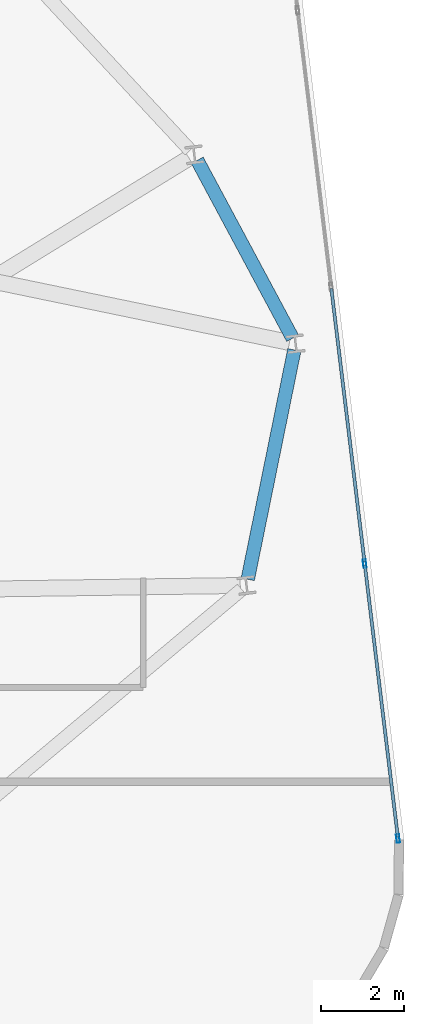
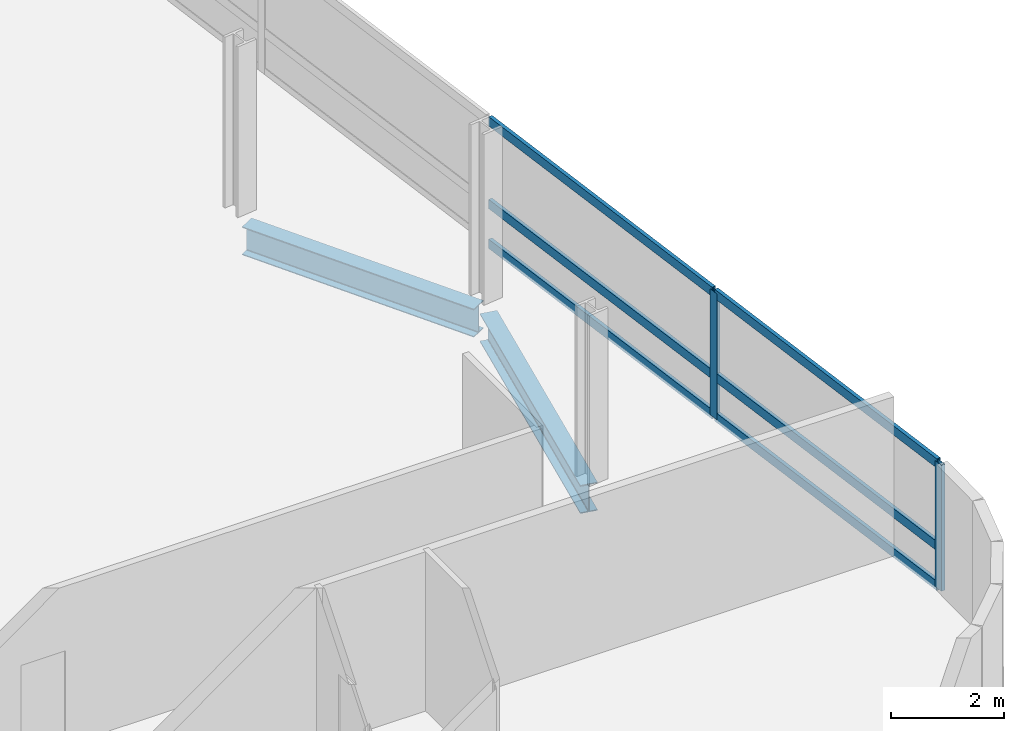
# One storey, part 10 of 22: 8 members, 2 beams, 1 element without a shape of its own.
"""IFC4 building model written with IfcOpenShell, lengths in metres."""

from ifc_helpers import new_model, si_unit, direction, frame, origin, origin_2d, place, context, subcontext, project, spatial, hollow_rectangle, i_section, extrude, material, layer, layer_set, material_profile, profile_set, type_object, element, aggregate, save


model = new_model("IFC4")

# Units and contexts
model_context = context("Model", 3, precision=1e-05, world=origin(), true_north=direction((0.0, 1.0)))
body_context = subcontext(model_context, "Body", "Model", "MODEL_VIEW")
ifc_project = project(units=[si_unit("LENGTHUNIT", "METRE"), si_unit("AREAUNIT", "SQUARE_METRE"), si_unit("VOLUMEUNIT", "CUBIC_METRE"), si_unit("PLANEANGLEUNIT", "RADIAN"), si_unit("MASSUNIT", "GRAM", prefix="KILO")], contexts=[model_context])

# Site, building, storey
site_placement = place(None, origin())
site = spatial("IfcSite", under=ifc_project, at=site_placement, CompositionType="ELEMENT")
building_placement = place(site_placement, origin())
building = spatial("IfcBuilding", under=site, at=building_placement, Name="Varnelok Gate Tower", CompositionType="ELEMENT")
storey_placement = place(building_placement, frame((0.0, 0.0, 185.699951171875)))
storey = spatial("IfcBuildingStorey", under=building, at=storey_placement, Name="L47", CompositionType="ELEMENT", Elevation=185.699951171875)

# Beams
ifc_material_1 = material(Name="Structural Steel ASTM A992 Grade 50", Category="steel")
ifc_material_profile_1 = material_profile(ifc_material_1, i_section(OverallWidth=0.323974609375, OverallDepth=0.611083984375, WebThickness=0.0126953125, FlangeThickness=0.01904296875, FilletRadius=0.01806640625, at=origin_2d()), Name="W24X104")
ifc_profile_set_1 = profile_set([ifc_material_profile_1], Name="Structural Steel ASTM A992 Grade 50")
beam_type = type_object("IfcBeamType", Name="BM-SPN-W24X104", PredefinedType="SPANDREL", material=ifc_profile_set_1)
beam_1_placement = place(storey_placement, frame((72.5068359375, 19.206298828125, -0.555419921875), z_axis=(0.19911018886, 0.979977108249, 0.0), x_axis=(-0.979977108249, 0.19911018886, 0.0)))
element("IfcBeam", 1, at=beam_1_placement, inside=storey, type_object=beam_type, Name="L47 Perimeter Spandrel Beam 6", PredefinedType="SPANDREL", context=body_context, shape_type="SweptSolid", body=[
    extrude(i_section(OverallWidth=0.323974609375, OverallDepth=0.611083984375, WebThickness=0.0126953125, FlangeThickness=0.01904296875, FilletRadius=0.01806640625, at=origin_2d()), origin(), (0.0, 0.0, 1.0), 5.612060546875),
])
beam_2_placement = place(storey_placement, frame((73.583251953125, 24.9853515625, -0.555419921875), z_axis=(-0.472471917257, 0.881345725242, 0.0), x_axis=(-0.881345725242, -0.472471917257, 0.0)))
element("IfcBeam", 2, at=beam_2_placement, inside=storey, type_object=beam_type, Name="L47 Perimeter Spandrel Beam 7", PredefinedType="SPANDREL", context=body_context, shape_type="SweptSolid", body=[
    extrude(i_section(OverallWidth=0.323974609375, OverallDepth=0.611083984375, WebThickness=0.0126953125, FlangeThickness=0.01904296875, FilletRadius=0.01806640625, at=origin_2d()), origin(), (0.0, 0.0, 1.0), 4.8408203125),
])

# Curtain wall, members
ifc_material_2 = material(Name="Anodized Aluminum Alloy 6063-T6", Category="aluminium")
ifc_layer = layer(ifc_material_2, 0.179931640625)
ifc_layer_set = layer_set([ifc_layer], Name="Anodized Aluminum Alloy 6063-T6")
curtain_wall_type = type_object("IfcCurtainWallType", Name="CW4-RESIDENCE-VISION", PredefinedType="USERDEFINED", material=ifc_layer_set)
curtain_wall_placement = place(storey_placement, origin())
curtain_wall = element("IfcCurtainWall", 3, at=curtain_wall_placement, inside=storey, type_object=curtain_wall_type, Name="L47 East End Vision Curtain Wall", ObjectType="UNITISED CURTAIN WALL", PredefinedType="USERDEFINED")
ifc_material_profile_2 = material_profile(ifc_material_2, hollow_rectangle(XDim=0.074951171875, YDim=0.199951171875, WallThickness=0.00390625, at=origin_2d()), Name="ALU200X75X4")
ifc_profile_set_2 = profile_set([ifc_material_profile_2], Name="Anodized Aluminum Alloy 6063-T6")
member_type_1 = type_object("IfcMemberType", Name="CW-MULL-200", PredefinedType="MULLION", material=ifc_profile_set_2)
member_1_placement = place(storey_placement, frame((75.310302734375, 19.584228515625, 0.0), z_axis=(0.0, 0.0, 1.0), x_axis=(0.992732188751, 0.120344511371, 0.0)))
member_1 = element("IfcMember", 4, at=member_1_placement, type_object=member_type_1, Name="CW4 mullion 5", PredefinedType="MULLION", context=body_context, shape_type="SweptSolid", body=[
    extrude(hollow_rectangle(XDim=0.074951171875, YDim=0.199951171875, WallThickness=0.00390625, at=origin_2d()), origin(), (0.0, 0.0, 1.0), 2.72998046875),
])
member_2_placement = place(storey_placement, frame((76.109619140625, 12.989990234375, 0.0), z_axis=(0.0, 0.0, 1.0), x_axis=(0.992732188751, 0.120344511371, 0.0)))
member_2 = element("IfcMember", 5, at=member_2_placement, type_object=member_type_1, Name="CW4 mullion 6", PredefinedType="MULLION", context=body_context, shape_type="SweptSolid", body=[
    extrude(hollow_rectangle(XDim=0.074951171875, YDim=0.199951171875, WallThickness=0.00390625, at=origin_2d()), origin(), (0.0, 0.0, 1.0), 2.72998046875),
])
ifc_material_profile_3 = material_profile(ifc_material_2, hollow_rectangle(XDim=0.074951171875, YDim=0.199951171875, WallThickness=0.00390625, at=origin_2d()), Name="ALU200X75X4")
ifc_profile_set_3 = profile_set([ifc_material_profile_3], Name="Anodized Aluminum Alloy 6063-T6")
member_type_2 = type_object("IfcMemberType", Name="CW-TRAN-200", PredefinedType="USERDEFINED", material=ifc_profile_set_3)
member_3_placement = place(storey_placement, frame((74.510986328125, 26.178466796875, 0.03759765625), z_axis=(0.120349029092, -0.992731641078, 0.0), x_axis=(0.992731641078, 0.120349029092, 0.0)))
member_3 = element("IfcMember", 6, at=member_3_placement, type_object=member_type_2, Name="CW4 transom 4.1", ObjectType="TRANSOM", PredefinedType="USERDEFINED", context=body_context, shape_type="SweptSolid", body=[
    extrude(hollow_rectangle(XDim=0.074951171875, YDim=0.199951171875, WallThickness=0.00390625, at=origin_2d()), origin(), (0.0, 0.0, 1.0), 6.605224609375),
])
member_4_placement = place(storey_placement, frame((74.510986328125, 26.178466796875, 0.900146484375), z_axis=(0.120349029092, -0.992731641078, 0.0), x_axis=(0.992731641078, 0.120349029092, 0.0)))
member_4 = element("IfcMember", 7, at=member_4_placement, type_object=member_type_2, Name="CW4 transom 4.2", ObjectType="TRANSOM", PredefinedType="USERDEFINED", context=body_context, shape_type="SweptSolid", body=[
    extrude(hollow_rectangle(XDim=0.074951171875, YDim=0.199951171875, WallThickness=0.00390625, at=origin_2d()), origin(), (0.0, 0.0, 1.0), 6.605224609375),
])
member_5_placement = place(storey_placement, frame((74.510986328125, 26.178466796875, 2.692626953125), z_axis=(0.120349029092, -0.992731641078, 0.0), x_axis=(0.992731641078, 0.120349029092, 0.0)))
member_5 = element("IfcMember", 8, at=member_5_placement, type_object=member_type_2, Name="CW4 transom 4.3", ObjectType="TRANSOM", PredefinedType="USERDEFINED", context=body_context, shape_type="SweptSolid", body=[
    extrude(hollow_rectangle(XDim=0.074951171875, YDim=0.199951171875, WallThickness=0.00390625, at=origin_2d()), origin(), (0.0, 0.0, 1.0), 6.605224609375),
])
member_6_placement = place(storey_placement, frame((75.314697265625, 19.546875, 0.03759765625), z_axis=(0.120369113246, -0.992729206066, 0.0), x_axis=(0.992729206066, 0.120369113246, 0.0)))
member_6 = element("IfcMember", 9, at=member_6_placement, type_object=member_type_2, Name="CW4 transom 5.1", ObjectType="TRANSOM", PredefinedType="USERDEFINED", context=body_context, shape_type="SweptSolid", body=[
    extrude(hollow_rectangle(XDim=0.074951171875, YDim=0.199951171875, WallThickness=0.00390625, at=origin_2d()), origin(), (0.0, 0.0, 1.0), 6.567626953125),
])
member_7_placement = place(storey_placement, frame((75.314697265625, 19.546875, 0.900146484375), z_axis=(0.120369113246, -0.992729206066, 0.0), x_axis=(0.992729206066, 0.120369113246, 0.0)))
member_7 = element("IfcMember", 10, at=member_7_placement, type_object=member_type_2, Name="CW4 transom 5.2", ObjectType="TRANSOM", PredefinedType="USERDEFINED", context=body_context, shape_type="SweptSolid", body=[
    extrude(hollow_rectangle(XDim=0.074951171875, YDim=0.199951171875, WallThickness=0.00390625, at=origin_2d()), origin(), (0.0, 0.0, 1.0), 6.567626953125),
])
member_8_placement = place(storey_placement, frame((75.314697265625, 19.546875, 2.692626953125), z_axis=(0.120369113246, -0.992729206066, 0.0), x_axis=(0.992729206066, 0.120369113246, 0.0)))
member_8 = element("IfcMember", 11, at=member_8_placement, type_object=member_type_2, Name="CW4 transom 5.3", ObjectType="TRANSOM", PredefinedType="USERDEFINED", context=body_context, shape_type="SweptSolid", body=[
    extrude(hollow_rectangle(XDim=0.074951171875, YDim=0.199951171875, WallThickness=0.00390625, at=origin_2d()), origin(), (0.0, 0.0, 1.0), 6.567626953125),
])
aggregate(curtain_wall, [member_1, member_2, member_3, member_4, member_5, member_6, member_7, member_8])

save(model, "model.ifc")
